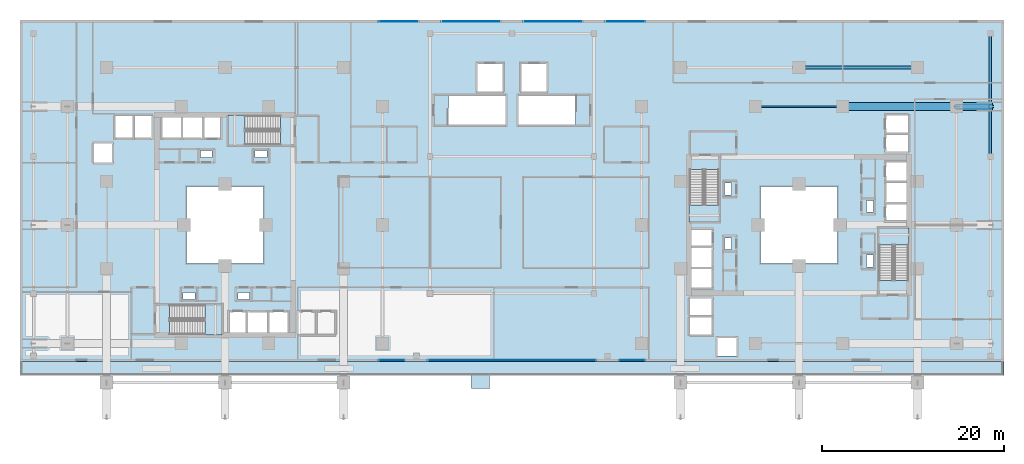
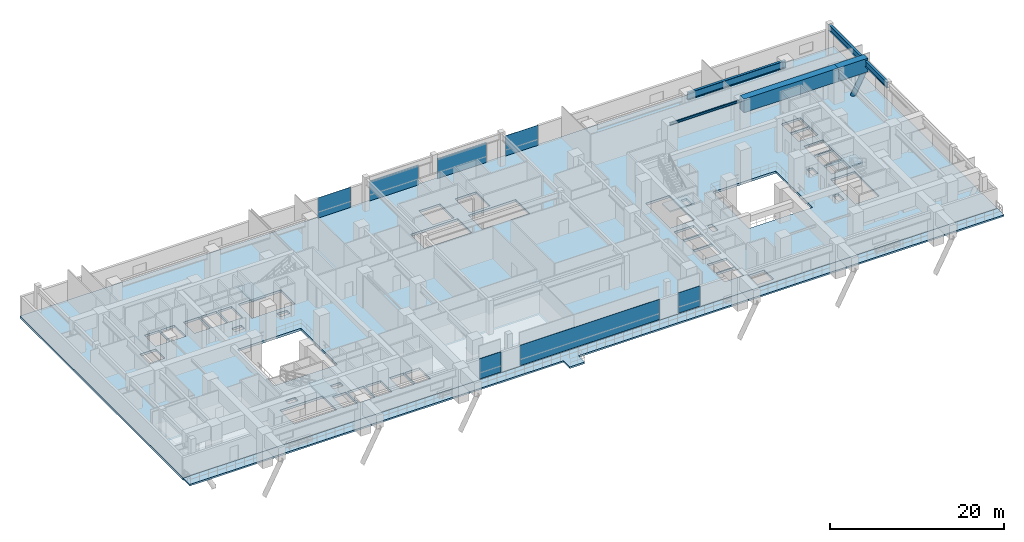
# One storey, part 11 of 25: 7 plates, 6 slabs, 5 beams, 1 member, 11 elements without a shape of their own.
"""IFC4 building model written with IfcOpenShell, lengths in metres."""

from ifc_helpers import new_model, si_unit, direction, frame, origin, origin_2d, place, context, subcontext, project, spatial, polyline, rectangle, hollow_circle, i_section, outline, extrude, material, layer, layer_set, material_profile, profile_set, type_object, element, aggregate, save


model = new_model("IFC4")

# Units and contexts
model_context = context("Model", 3, precision=1e-05, world=origin(), true_north=direction((0.0, 1.0)))
body_context = subcontext(model_context, "Body", "Model", "MODEL_VIEW")
ifc_project = project(units=[si_unit("LENGTHUNIT", "METRE"), si_unit("AREAUNIT", "SQUARE_METRE"), si_unit("VOLUMEUNIT", "CUBIC_METRE"), si_unit("PLANEANGLEUNIT", "RADIAN"), si_unit("MASSUNIT", "GRAM", prefix="KILO")], contexts=[model_context])

# Site, building, storey
site_placement = place(None, origin())
site = spatial("IfcSite", under=ifc_project, at=site_placement, CompositionType="ELEMENT")
building_placement = place(site_placement, origin())
building = spatial("IfcBuilding", under=site, at=building_placement, Name="Thornwick Lancets Civic Towers", CompositionType="ELEMENT")
storey_placement = place(building_placement, frame((0.0, 0.0, 23.10009765625)))
storey = spatial("IfcBuildingStorey", under=building, at=storey_placement, Name="L05", CompositionType="ELEMENT", Elevation=23.10009765625)

# Beams
ifc_material_1 = material(Name="Steel S355JR", Category="steel")
ifc_material_profile_1 = material_profile(ifc_material_1, i_section(OverallWidth=0.1669921875, OverallDepth=0.310302734375, WebThickness=0.0078125, FlangeThickness=0.013671875, FilletRadius=0.0087890625, at=origin_2d()), Name="UKB 305x165x54")
ifc_profile_set_1 = profile_set([ifc_material_profile_1], Name="Steel S355JR")
beam_type_1 = type_object("IfcBeamType", Name="BM_LINTEL_305_54", PredefinedType="LINTEL", material=ifc_profile_set_1)
beam_1_placement = place(storey_placement, frame((93.219970703125, 40.0, 4.40478515625), z_axis=(-1.0, 0.0, 0.0), x_axis=(0.0, -1.0, 0.0)))
element("IfcBeam", 1, at=beam_1_placement, inside=storey, type_object=beam_type_1, Name="BM-INSP-L05-B-1-3", PredefinedType="LINTEL", context=body_context, shape_type="SweptSolid", body=[
    extrude(i_section(OverallWidth=0.1669921875, OverallDepth=0.310302734375, WebThickness=0.0078125, FlangeThickness=0.013671875, FilletRadius=0.0087890625, at=origin_2d()), origin(), (0.0, 0.0, 1.0), 9.52001953125),
])
ifc_material_profile_2 = material_profile(ifc_material_1, i_section(OverallWidth=0.293701171875, OverallDepth=0.850830078125, WebThickness=0.01611328125, FlangeThickness=0.02685546875, FilletRadius=0.017822265625, at=origin_2d()), Name="UKB 838x292x226")
ifc_profile_set_2 = profile_set([ifc_material_profile_2], Name="Steel S355JR")
beam_type_2 = type_object("IfcBeamType", Name="BM_POD_838_226", PredefinedType="BEAM", material=ifc_profile_set_2)
beam_2_placement = place(storey_placement, frame((109.5, 34.580078125, 4.134521484375), z_axis=(0.0, 1.0, 0.0), x_axis=(-1.0, 0.0, 0.0)))
element("IfcBeam", 2, at=beam_2_placement, inside=storey, type_object=beam_type_2, Name="BM-PODG-L05-15-16", PredefinedType="BEAM", context=body_context, shape_type="SweptSolid", body=[
    extrude(i_section(OverallWidth=0.293701171875, OverallDepth=0.850830078125, WebThickness=0.01611328125, FlangeThickness=0.02685546875, FilletRadius=0.017822265625, at=origin_2d()), origin(), (0.0, 0.0, 1.0), 13.419921875),
])
ifc_material_2 = material(Name="Steel S460M", Category="steel")
ifc_material_profile_3 = material_profile(ifc_material_2, i_section(OverallWidth=0.305419921875, OverallDepth=1.02587890625, WebThickness=0.02685546875, FlangeThickness=0.0458984375, FilletRadius=0.030029296875, at=origin_2d()), Name="UKB 1016x305x437")
ifc_profile_set_3 = profile_set([ifc_material_profile_3], Name="Steel S460M")
beam_type_3 = type_object("IfcBeamType", Name="BM_TR_1016_437", PredefinedType="BEAM", material=ifc_profile_set_3)
beam_3_placement = place(storey_placement, frame((101.5, 44.300048828125, 4.046875), z_axis=(-1.0, 0.0, 0.0), x_axis=(0.0, -1.0, 0.0)))
element("IfcBeam", 3, at=beam_3_placement, inside=storey, type_object=beam_type_3, Name="BM-SPINE-L05-B-3-4", PredefinedType="BEAM", context=body_context, shape_type="SweptSolid", body=[
    extrude(i_section(OverallWidth=0.305419921875, OverallDepth=1.02587890625, WebThickness=0.02685546875, FlangeThickness=0.0458984375, FilletRadius=0.030029296875, at=origin_2d()), origin(), (0.0, 0.0, 1.0), 13.0),
])
ifc_material_3 = material(Name="Concrete C60/75", Category="concrete")
ifc_material_profile_4 = material_profile(ifc_material_3, rectangle(XDim=0.89990234375, YDim=1.89990234375, at=origin_2d()), Name="RC 900x1900")
ifc_profile_set_4 = profile_set([ifc_material_profile_4], Name="Concrete C60/75")
beam_type_4 = type_object("IfcBeamType", Name="BM_TR_RC1900", PredefinedType="BEAM", material=ifc_profile_set_4)
beam_4_placement = place(storey_placement, frame((93.300048828125, 40.0, 3.849853515625), z_axis=(1.0, 0.0, 0.0), x_axis=(0.0, 1.0, 0.0)))
element("IfcBeam", 4, at=beam_4_placement, inside=storey, type_object=beam_type_4, Name="TG-BACK-L06-B03", PredefinedType="BEAM", context=body_context, shape_type="SweptSolid", body=[
    extrude(rectangle(XDim=0.89990234375, YDim=1.89990234375, at=origin_2d()), origin(), (0.0, 0.0, 1.0), 12.5),
])
beam_5_placement = place(storey_placement, frame((105.800048828125, 40.0, 3.849853515625), z_axis=(1.0, 0.0, 0.0), x_axis=(0.0, 1.0, 0.0)))
element("IfcBeam", 5, at=beam_5_placement, inside=storey, type_object=beam_type_4, Name="TG-CANT-L06-B03", PredefinedType="BEAM", context=body_context, shape_type="SweptSolid", body=[
    extrude(rectangle(XDim=0.89990234375, YDim=1.89990234375, at=origin_2d()), origin(), (0.0, 0.0, 1.0), 3.919921875),
])

# Member
ifc_material_profile_5 = material_profile(ifc_material_2, hollow_circle(Radius=0.304931640625, WallThickness=0.030029296875, at=origin_2d()), Name="CHS 610x30")
ifc_profile_set_5 = profile_set([ifc_material_profile_5], Name="Steel S460M")
member_type = type_object("IfcMemberType", Name="MEM_STRUT_CHS610", PredefinedType="STRUT", material=ifc_profile_set_5)
member_placement = place(storey_placement, frame((105.800048828125, 40.0, -4.25), z_axis=(0.465247425434, 0.0, 0.885180678239), x_axis=(0.0, 1.0, 0.0)))
element("IfcMember", 6, at=member_placement, inside=storey, type_object=member_type, Name="L06 Jenga Transfer Raking Strut B03", PredefinedType="STRUT", context=body_context, shape_type="SweptSolid", body=[
    extrude(hollow_circle(Radius=0.304931640625, WallThickness=0.030029296875, at=origin_2d()), origin(), (0.0, 0.0, 1.0), 8.167724609375),
])

# Curtain wall, plate
ifc_material_4 = material(Name="Terracotta-trimmed cascading podium ribbon curtain wall", Category="masonry")
curtain_wall_type = type_object("IfcCurtainWallType", Name="CW_SYS_02", PredefinedType="NOTDEFINED", material=ifc_material_4)
curtain_wall_1_placement = place(storey_placement, origin())
curtain_wall_1 = element("IfcCurtainWall", 7, at=curtain_wall_1_placement, inside=storey, type_object=curtain_wall_type, Name="L05 Curtain Wall CW-L05-POD-SC-S1", PredefinedType="NOTDEFINED")
ifc_material_5 = material(Name="Low-e double glazing clear glass", Category="glass")
ifc_layer_1 = layer(ifc_material_5, 0.035888671875, Name="Low-e double glazing clear glass")
ifc_layer_set_1 = layer_set([ifc_layer_1], Name="Low-e double glazing clear glass")
plate_type = type_object("IfcPlateType", Name="CW_PNL_GLASS", PredefinedType="CURTAIN_PANEL", material=ifc_layer_set_1)
plate_1_placement = place(storey_placement, frame((43.824951171875, 12.159912109375, 0.0), z_axis=(0.0, 0.0, 1.0), x_axis=(1.0, 0.0, 0.0)))
plate_1 = element("IfcPlate", 8, at=plate_1_placement, type_object=plate_type, Name="CW-L05-POD-SC-S1 Panel 0", PredefinedType="CURTAIN_PANEL", context=body_context, shape_type="SweptSolid", body=[
    extrude(rectangle(XDim=2.845947265625, YDim=0.035888671875, at=origin_2d()), origin(), (0.0, 0.0, 1.0), 2.840087890625),
])
aggregate(curtain_wall_1, [plate_1])

curtain_wall_2_placement = place(storey_placement, origin())
curtain_wall_2 = element("IfcCurtainWall", 9, at=curtain_wall_2_placement, inside=storey, type_object=curtain_wall_type, Name="L05 Curtain Wall CW-L05-POD-SC-S2", PredefinedType="NOTDEFINED")
plate_2_placement = place(storey_placement, frame((57.0, 12.159912109375, 0.0), z_axis=(0.0, 0.0, 1.0), x_axis=(1.0, 0.0, 0.0)))
plate_2 = element("IfcPlate", 10, at=plate_2_placement, type_object=plate_type, Name="CW-L05-POD-SC-S2 Panel 0", PredefinedType="CURTAIN_PANEL", context=body_context, shape_type="SweptSolid", body=[
    extrude(rectangle(XDim=18.49609375, YDim=0.035888671875, at=origin_2d()), origin(), (0.0, 0.0, 1.0), 2.840087890625),
])
aggregate(curtain_wall_2, [plate_2])

curtain_wall_3_placement = place(storey_placement, origin())
curtain_wall_3 = element("IfcCurtainWall", 11, at=curtain_wall_3_placement, inside=storey, type_object=curtain_wall_type, Name="L05 Curtain Wall CW-L05-POD-SC-S3", PredefinedType="NOTDEFINED")
plate_3_placement = place(storey_placement, frame((70.175048828125, 12.159912109375, 0.0), z_axis=(0.0, 0.0, 1.0), x_axis=(1.0, 0.0, 0.0)))
plate_3 = element("IfcPlate", 12, at=plate_3_placement, type_object=plate_type, Name="CW-L05-POD-SC-S3 Panel 0", PredefinedType="CURTAIN_PANEL", context=body_context, shape_type="SweptSolid", body=[
    extrude(rectangle(XDim=2.845947265625, YDim=0.035888671875, at=origin_2d()), origin(), (0.0, 0.0, 1.0), 2.840087890625),
])
aggregate(curtain_wall_3, [plate_3])

curtain_wall_4_placement = place(storey_placement, origin())
curtain_wall_4 = element("IfcCurtainWall", 13, at=curtain_wall_4_placement, inside=storey, type_object=curtain_wall_type, Name="L05 Curtain Wall CW-L05-POD-NC-S1", PredefinedType="NOTDEFINED")
plate_4_placement = place(storey_placement, frame((69.425048828125, 49.340087890625, 0.0), z_axis=(0.0, 0.0, 1.0), x_axis=(-1.0, 0.0, 0.0)))
plate_4 = element("IfcPlate", 14, at=plate_4_placement, type_object=plate_type, Name="CW-L05-POD-NC-S1 Panel 0", PredefinedType="CURTAIN_PANEL", context=body_context, shape_type="SweptSolid", body=[
    extrude(rectangle(XDim=4.345947265625, YDim=0.035888671875, at=origin_2d()), origin(), (0.0, 0.0, 1.0), 2.840087890625),
])
aggregate(curtain_wall_4, [plate_4])

curtain_wall_5_placement = place(storey_placement, origin())
curtain_wall_5 = element("IfcCurtainWall", 15, at=curtain_wall_5_placement, inside=storey, type_object=curtain_wall_type, Name="L05 Curtain Wall CW-L05-POD-NC-S2", PredefinedType="NOTDEFINED")
plate_5_placement = place(storey_placement, frame((61.5, 49.340087890625, 0.0), z_axis=(0.0, 0.0, 1.0), x_axis=(-1.0, 0.0, 0.0)))
plate_5 = element("IfcPlate", 16, at=plate_5_placement, type_object=plate_type, Name="CW-L05-POD-NC-S2 Panel 0", PredefinedType="CURTAIN_PANEL", context=body_context, shape_type="SweptSolid", body=[
    extrude(rectangle(XDim=6.49609375, YDim=0.035888671875, at=origin_2d()), origin(), (0.0, 0.0, 1.0), 2.840087890625),
])
aggregate(curtain_wall_5, [plate_5])

curtain_wall_6_placement = place(storey_placement, origin())
curtain_wall_6 = element("IfcCurtainWall", 17, at=curtain_wall_6_placement, inside=storey, type_object=curtain_wall_type, Name="L05 Curtain Wall CW-L05-POD-NC-S3", PredefinedType="NOTDEFINED")
plate_6_placement = place(storey_placement, frame((52.5, 49.340087890625, 0.0), z_axis=(0.0, 0.0, 1.0), x_axis=(-1.0, 0.0, 0.0)))
plate_6 = element("IfcPlate", 18, at=plate_6_placement, type_object=plate_type, Name="CW-L05-POD-NC-S3 Panel 0", PredefinedType="CURTAIN_PANEL", context=body_context, shape_type="SweptSolid", body=[
    extrude(rectangle(XDim=6.49609375, YDim=0.035888671875, at=origin_2d()), origin(), (0.0, 0.0, 1.0), 2.840087890625),
])
aggregate(curtain_wall_6, [plate_6])

curtain_wall_7_placement = place(storey_placement, origin())
curtain_wall_7 = element("IfcCurtainWall", 19, at=curtain_wall_7_placement, inside=storey, type_object=curtain_wall_type, Name="L05 Curtain Wall CW-L05-POD-NC-S4", PredefinedType="NOTDEFINED")
plate_7_placement = place(storey_placement, frame((44.574951171875, 49.340087890625, 0.0), z_axis=(0.0, 0.0, 1.0), x_axis=(-1.0, 0.0, 0.0)))
plate_7 = element("IfcPlate", 20, at=plate_7_placement, type_object=plate_type, Name="CW-L05-POD-NC-S4 Panel 0", PredefinedType="CURTAIN_PANEL", context=body_context, shape_type="SweptSolid", body=[
    extrude(rectangle(XDim=4.345947265625, YDim=0.035888671875, at=origin_2d()), origin(), (0.0, 0.0, 1.0), 2.840087890625),
])
aggregate(curtain_wall_7, [plate_7])

# Stair, slab
ifc_material_6 = material(Name="Concrete C40/50", Category="concrete")
stair_type = type_object("IfcStairType", Name="STAIR_DL_4800", PredefinedType="HALF_TURN_STAIR", material=ifc_material_6)
stair_1_placement = place(storey_placement, origin())
stair_1 = element("IfcStair", 21, at=stair_1_placement, inside=storey, type_object=stair_type, Name="L05 Tower A South Exit Stair ST-A1", PredefinedType="HALF_TURN_STAIR")
ifc_layer_2 = layer(ifc_material_6, 0.25, Name="Concrete C40/50")
ifc_layer_set_2 = layer_set([ifc_layer_2], Name="Concrete C40/50")
slab_type_1 = type_object("IfcSlabType", Name="SLAB_LANDING_200", PredefinedType="LANDING", material=ifc_layer_set_2)
slab_1_placement = place(storey_placement, frame((0.0, 0.0, 2.202880859375)))
slab_1 = element("IfcSlab", 22, at=slab_1_placement, type_object=slab_type_1, Name="ST-A1 landing 1", PredefinedType="LANDING", context=body_context, shape_type="SweptSolid", body=[
    extrude(outline(polyline([(23.2900390625, 14.93994140625), (25.14990234375, 14.93994140625), (25.14990234375, 18.260009765625), (23.2900390625, 18.260009765625), (23.2900390625, 14.93994140625)])), origin(), (0.0, 0.0, 1.0), 0.199951171875),
])
aggregate(stair_1, [slab_1])

stair_2_placement = place(storey_placement, origin())
stair_2 = element("IfcStair", 23, at=stair_2_placement, inside=storey, type_object=stair_type, Name="L05 Tower A North Exit Stair ST-A2", PredefinedType="HALF_TURN_STAIR")
slab_2_placement = place(storey_placement, frame((0.0, 0.0, 2.202880859375)))
slab_2 = element("IfcSlab", 24, at=slab_2_placement, type_object=slab_type_1, Name="ST-A2 landing 1", PredefinedType="LANDING", context=body_context, shape_type="SweptSolid", body=[
    extrude(outline(polyline([(27.7099609375, 39.06005859375), (25.85009765625, 39.06005859375), (25.85009765625, 35.739990234375), (27.7099609375, 35.739990234375), (27.7099609375, 39.06005859375)])), origin(), (0.0, 0.0, 1.0), 0.199951171875),
])
aggregate(stair_2, [slab_2])

stair_3_placement = place(storey_placement, origin())
stair_3 = element("IfcStair", 25, at=stair_3_placement, inside=storey, type_object=stair_type, Name="L05 Tower B East Exit Stair ST-B1", PredefinedType="HALF_TURN_STAIR")
slab_3_placement = place(storey_placement, frame((0.0, 0.0, 2.202880859375)))
slab_3 = element("IfcSlab", 26, at=slab_3_placement, type_object=slab_type_1, Name="ST-B1 landing 1", PredefinedType="LANDING", context=body_context, shape_type="SweptSolid", body=[
    extrude(outline(polyline([(100.56005859375, 24.7900390625), (100.56005859375, 26.64990234375), (97.239990234375, 26.64990234375), (97.239990234375, 24.7900390625), (100.56005859375, 24.7900390625)])), origin(), (0.0, 0.0, 1.0), 0.199951171875),
])
aggregate(stair_3, [slab_3])

stair_4_placement = place(storey_placement, origin())
stair_4 = element("IfcStair", 27, at=stair_4_placement, inside=storey, type_object=stair_type, Name="L05 Tower B West Exit Stair ST-B2", PredefinedType="HALF_TURN_STAIR")
slab_4_placement = place(storey_placement, frame((0.0, 0.0, 2.202880859375)))
slab_4 = element("IfcSlab", 28, at=slab_4_placement, type_object=slab_type_1, Name="ST-B2 landing 1", PredefinedType="LANDING", context=body_context, shape_type="SweptSolid", body=[
    extrude(outline(polyline([(76.43994140625, 29.2099609375), (76.43994140625, 27.35009765625), (79.760009765625, 27.35009765625), (79.760009765625, 29.2099609375), (76.43994140625, 29.2099609375)])), origin(), (0.0, 0.0, 1.0), 0.199951171875),
])
aggregate(stair_4, [slab_4])

# Slabs
ifc_material_7 = material(Name="Post-tensioned concrete C40/50", Category="concrete")
ifc_layer_3 = layer(ifc_material_7, 0.320068359375, Name="Post-tensioned concrete C40/50")
ifc_layer_set_3 = layer_set([ifc_layer_3], Name="Post-tensioned concrete C40/50")
slab_type_2 = type_object("IfcSlabType", Name="SLAB_PT_320", PredefinedType="FLOOR", material=ifc_layer_set_3)
slab_5_placement = place(storey_placement, frame((0.0, 0.0, -0.320068359375)))
element("IfcSlab", 29, at=slab_5_placement, inside=storey, type_object=slab_type_2, Name="L05 Podium Structural Floor Slab", PredefinedType="FLOOR", context=body_context, shape_type="SweptSolid", body=[
    extrude(outline(polyline([(3.0, 12.0), (111.0, 12.0), (111.0, 49.5), (3.0, 49.5), (3.0, 12.0)]), holes=[polyline([(21.300048828125, 22.800048828125), (29.699951171875, 22.800048828125), (29.699951171875, 31.199951171875), (21.300048828125, 31.199951171875), (21.300048828125, 22.800048828125)]), polyline([(84.300048828125, 22.800048828125), (92.699951171875, 22.800048828125), (92.699951171875, 31.199951171875), (84.300048828125, 31.199951171875), (84.300048828125, 22.800048828125)]), polyline([(19.429931640625, 15.0), (25.10009765625, 15.0), (25.10009765625, 18.199951171875), (19.429931640625, 18.199951171875), (19.429931640625, 15.0)]), polyline([(31.570068359375, 39.0), (25.89990234375, 39.0), (25.89990234375, 35.800048828125), (31.570068359375, 35.800048828125), (31.570068359375, 39.0)]), polyline([(100.5, 20.929931640625), (100.5, 26.60009765625), (97.300048828125, 26.60009765625), (97.300048828125, 20.929931640625), (100.5, 20.929931640625)]), polyline([(76.5, 33.070068359375), (76.5, 27.39990234375), (79.699951171875, 27.39990234375), (79.699951171875, 33.070068359375), (76.5, 33.070068359375)]), polyline([(50.030029296875, 38.0), (56.300048828125, 38.0), (56.300048828125, 41.199951171875), (50.030029296875, 41.199951171875), (50.030029296875, 38.0)]), polyline([(63.969970703125, 41.199951171875), (57.699951171875, 41.199951171875), (57.699951171875, 38.0), (63.969970703125, 38.0), (63.969970703125, 41.199951171875)]), polyline([(26.0, 15.0), (27.800048828125, 15.0), (27.800048828125, 17.550048828125), (26.0, 17.550048828125), (26.0, 15.0)]), polyline([(97.949951171875, 27.5), (100.5, 27.5), (100.5, 29.300048828125), (97.949951171875, 29.300048828125), (97.949951171875, 27.5)]), polyline([(28.0, 15.0), (30.14990234375, 15.0), (30.14990234375, 17.550048828125), (28.0, 17.550048828125), (28.0, 15.0)]), polyline([(97.949951171875, 29.5), (100.5, 29.5), (100.5, 31.64990234375), (97.949951171875, 31.64990234375), (97.949951171875, 29.5)]), polyline([(30.35009765625, 15.0), (32.39990234375, 15.0), (32.39990234375, 17.550048828125), (30.35009765625, 17.550048828125), (30.35009765625, 15.0)]), polyline([(97.949951171875, 31.85009765625), (100.5, 31.85009765625), (100.5, 33.89990234375), (97.949951171875, 33.89990234375), (97.949951171875, 31.85009765625)]), polyline([(33.550048828125, 15.0), (35.449951171875, 15.0), (35.449951171875, 17.550048828125), (33.550048828125, 17.550048828125), (33.550048828125, 15.0)]), polyline([(97.949951171875, 35.050048828125), (100.5, 35.050048828125), (100.5, 36.949951171875), (97.949951171875, 36.949951171875), (97.949951171875, 35.050048828125)]), polyline([(35.60009765625, 15.0), (37.550048828125, 15.0), (37.550048828125, 17.550048828125), (35.60009765625, 17.550048828125), (35.60009765625, 15.0)]), polyline([(97.949951171875, 37.10009765625), (100.5, 37.10009765625), (100.5, 39.050048828125), (97.949951171875, 39.050048828125), (97.949951171875, 37.10009765625)]), polyline([(23.199951171875, 36.449951171875), (25.0, 36.449951171875), (25.0, 39.0), (23.199951171875, 39.0), (23.199951171875, 36.449951171875)]), polyline([(76.5, 24.699951171875), (79.050048828125, 24.699951171875), (79.050048828125, 26.5), (76.5, 26.5), (76.5, 24.699951171875)]), polyline([(20.85009765625, 36.449951171875), (23.0, 36.449951171875), (23.0, 39.0), (20.85009765625, 39.0), (20.85009765625, 36.449951171875)]), polyline([(76.5, 22.35009765625), (79.050048828125, 22.35009765625), (79.050048828125, 24.5), (76.5, 24.5), (76.5, 22.35009765625)]), polyline([(18.60009765625, 36.449951171875), (20.699951171875, 36.449951171875), (20.699951171875, 39.0), (18.60009765625, 39.0), (18.60009765625, 36.449951171875)]), polyline([(76.5, 20.10009765625), (79.050048828125, 20.10009765625), (79.050048828125, 22.199951171875), (76.5, 22.199951171875), (76.5, 20.10009765625)]), polyline([(15.550048828125, 36.449951171875), (17.449951171875, 36.449951171875), (17.449951171875, 39.0), (15.550048828125, 39.0), (15.550048828125, 36.449951171875)]), polyline([(76.5, 17.050048828125), (79.050048828125, 17.050048828125), (79.050048828125, 18.949951171875), (76.5, 18.949951171875), (76.5, 17.050048828125)]), polyline([(13.449951171875, 36.449951171875), (15.39990234375, 36.449951171875), (15.39990234375, 39.0), (13.449951171875, 39.0), (13.449951171875, 36.449951171875)]), polyline([(76.5, 14.949951171875), (79.050048828125, 14.949951171875), (79.050048828125, 16.89990234375), (76.5, 16.89990234375), (76.5, 14.949951171875)]), polyline([(11.10009765625, 33.85009765625), (13.199951171875, 33.85009765625), (13.199951171875, 35.949951171875), (11.10009765625, 35.949951171875), (11.10009765625, 33.85009765625)]), polyline([(79.550048828125, 12.60009765625), (81.64990234375, 12.60009765625), (81.64990234375, 14.699951171875), (79.550048828125, 14.699951171875), (79.550048828125, 12.60009765625)]), polyline([(53.199951171875, 41.60009765625), (56.0, 41.60009765625), (56.0, 44.800048828125), (53.199951171875, 44.800048828125), (53.199951171875, 41.60009765625)]), polyline([(58.0, 41.60009765625), (60.800048828125, 41.60009765625), (60.800048828125, 44.800048828125), (58.0, 44.800048828125), (58.0, 41.60009765625)]), polyline([(26.89990234375, 18.85009765625), (28.199951171875, 18.85009765625), (28.199951171875, 19.580078125), (26.89990234375, 19.580078125), (26.89990234375, 18.85009765625)]), polyline([(20.89990234375, 18.85009765625), (22.199951171875, 18.85009765625), (22.199951171875, 19.580078125), (20.89990234375, 19.580078125), (20.89990234375, 18.85009765625)]), polyline([(22.800048828125, 34.419921875), (24.10009765625, 34.419921875), (24.10009765625, 35.14990234375), (22.800048828125, 35.14990234375), (22.800048828125, 34.419921875)]), polyline([(28.800048828125, 34.419921875), (30.10009765625, 34.419921875), (30.10009765625, 35.14990234375), (28.800048828125, 35.14990234375), (28.800048828125, 34.419921875)]), polyline([(95.919921875, 28.39990234375), (96.64990234375, 28.39990234375), (96.64990234375, 29.699951171875), (95.919921875, 29.699951171875), (95.919921875, 28.39990234375)]), polyline([(95.919921875, 22.39990234375), (96.64990234375, 22.39990234375), (96.64990234375, 23.699951171875), (95.919921875, 23.699951171875), (95.919921875, 22.39990234375)]), polyline([(80.35009765625, 24.300048828125), (81.080078125, 24.300048828125), (81.080078125, 25.60009765625), (80.35009765625, 25.60009765625), (80.35009765625, 24.300048828125)]), polyline([(80.35009765625, 30.300048828125), (81.080078125, 30.300048828125), (81.080078125, 31.60009765625), (80.35009765625, 31.60009765625), (80.35009765625, 30.300048828125)])]), origin(), (0.0, 0.0, 1.0), 0.320068359375),
])
ifc_layer_4 = layer(ifc_material_6, 0.219970703125, Name="Concrete C40/50")
ifc_layer_set_4 = layer_set([ifc_layer_4], Name="Concrete C40/50")
slab_type_3 = type_object("IfcSlabType", Name="SLAB_TERRACE_220", PredefinedType="FLOOR", material=ifc_layer_set_4)
slab_6_placement = place(storey_placement, frame((0.0, 0.0, -0.22021484375)))
element("IfcSlab", 30, at=slab_6_placement, inside=storey, type_object=slab_type_3, Name="L05 Cascading Garden Terrace Slab", PredefinedType="FLOOR", context=body_context, shape_type="SweptSolid", body=[
    extrude(outline(polyline([(3.0, 10.5), (3.0, 12.0), (111.0, 12.0), (111.0, 10.5), (54.5400390625, 10.5), (54.5400390625, 9.050048828125), (52.56005859375, 9.050048828125), (52.56005859375, 10.5), (3.0, 10.5)])), origin(), (0.0, 0.0, 1.0), 0.22021484375),
])

save(model, "model.ifc")
